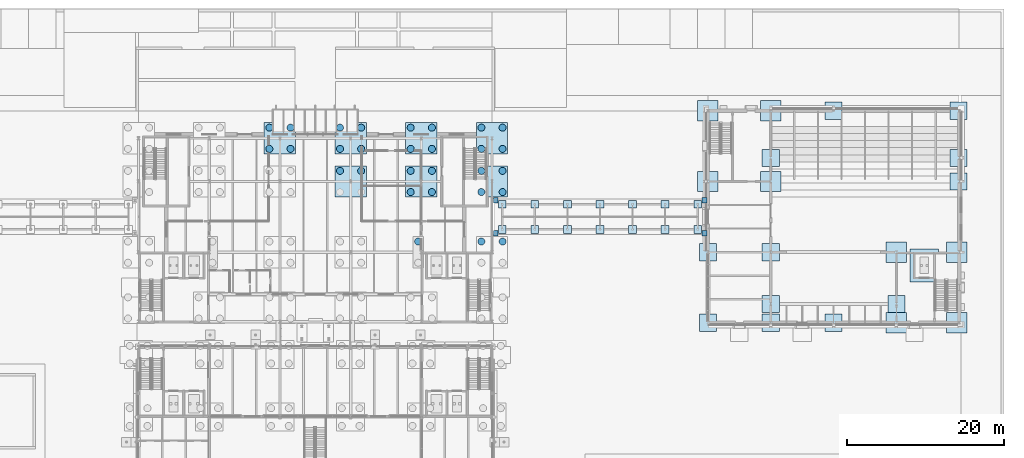
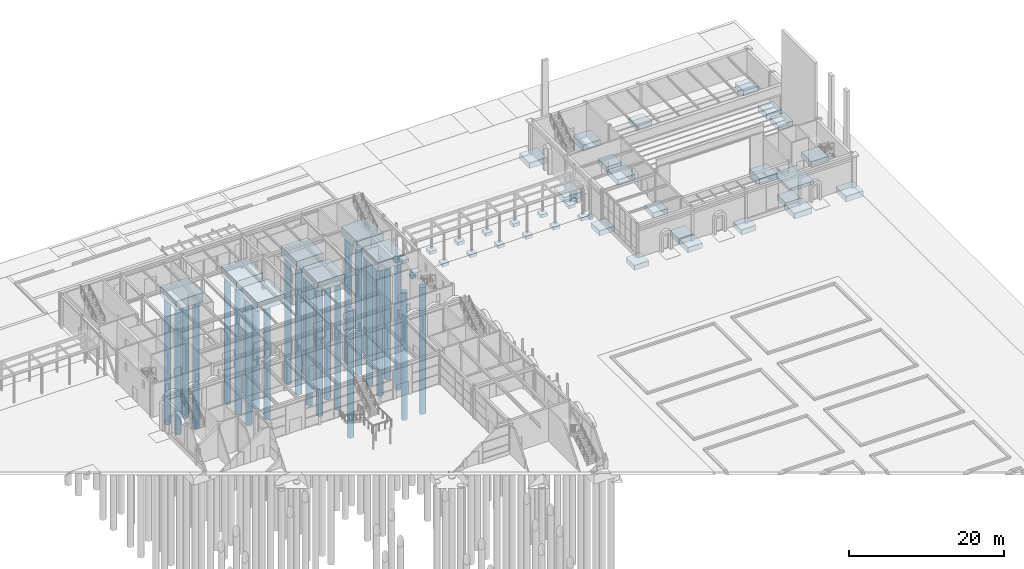
# One storey, part 3 of 126: 46 footings, 29 piles.
"""IFC4 building model written with IfcOpenShell, lengths in metres."""

from ifc_helpers import new_model, si_unit, direction, frame, origin, origin_2d, place, context, subcontext, project, spatial, rectangle, circle, extrude, material, type_object, element, save


model = new_model("IFC4")

# Units and contexts
model_context = context("Model", 3, precision=1e-05, world=origin(), true_north=direction((0.0, 1.0)))
body_context = subcontext(model_context, "Body", "Model", "MODEL_VIEW")
ifc_project = project(units=[si_unit("LENGTHUNIT", "METRE"), si_unit("AREAUNIT", "SQUARE_METRE"), si_unit("VOLUMEUNIT", "CUBIC_METRE"), si_unit("PLANEANGLEUNIT", "RADIAN"), si_unit("MASSUNIT", "GRAM", prefix="KILO")], contexts=[model_context])

# Site, building, storey
site_placement = place(None, origin())
site = spatial("IfcSite", under=ifc_project, at=site_placement, CompositionType="ELEMENT")
building_placement = place(site_placement, origin())
building = spatial("IfcBuilding", under=site, at=building_placement, Name="Kallimachos Central Library", CompositionType="ELEMENT")
storey_placement = place(building_placement, origin())
storey = spatial("IfcBuildingStorey", under=building, at=storey_placement, Name="L00", CompositionType="ELEMENT", Elevation=0.0)

# Piles
ifc_material_1 = material(Name="Concrete C30/37", Category="concrete")
pile_type = type_object("IfcPileType", Name="Bored pile D900", PredefinedType="BORED", material=ifc_material_1)
for number, where, z_axis, x_axis, name in (
    (1, (101.10009765625, 97.35009765625, -1.60009765625), (0.0, 0.0, -1.0), (1.0, 0.0, 0.0), "V1-PIL-L00-040"),
    (2, (109.14990234375, 97.35009765625, -1.60009765625), (0.0, 0.0, -1.0), (1.0, 0.0, 0.0), "V1-PIL-L00-042"),
    (3, (111.85009765625, 97.35009765625, -1.60009765625), (0.0, 0.0, -1.0), (1.0, 0.0, 0.0), "V1-PIL-L00-044"),
    (4, (91.14990234375, 106.35009765625, -1.60009765625), (0.0, 0.0, -1.0), (1.0, 0.0, 0.0), "V1-PIL-L00-058"),
    (5, (93.85009765625, 106.35009765625, -1.60009765625), (0.0, 0.0, -1.0), (1.0, 0.0, 0.0), "V1-PIL-L00-060"),
    (6, (100.14990234375, 103.64990234375, -1.60009765625), (0.0, 0.0, -1.0), (1.0, 0.0, 0.0), "V1-PIL-L00-061"),
    (7, (100.14990234375, 106.35009765625, -1.60009765625), (0.0, 0.0, -1.0), (1.0, 0.0, 0.0), "V1-PIL-L00-062"),
    (8, (102.85009765625, 103.64990234375, -1.60009765625), (0.0, 0.0, -1.0), (1.0, 0.0, 0.0), "V1-PIL-L00-063"),
    (9, (102.85009765625, 106.35009765625, -1.60009765625), (0.0, 0.0, -1.0), (1.0, 0.0, 0.0), "V1-PIL-L00-064"),
    (10, (109.14990234375, 103.64990234375, -1.60009765625), (0.0, 0.0, -1.0), (1.0, 0.0, 0.0), "V1-PIL-L00-065"),
    (11, (109.14990234375, 106.35009765625, -1.60009765625), (0.0, 0.0, -1.0), (1.0, 0.0, 0.0), "V1-PIL-L00-066"),
    (12, (111.85009765625, 103.64990234375, -1.60009765625), (0.0, 0.0, -1.0), (1.0, 0.0, 0.0), "V1-PIL-L00-067"),
    (13, (111.85009765625, 106.35009765625, -1.60009765625), (0.0, 0.0, -1.0), (1.0, 0.0, 0.0), "V1-PIL-L00-068"),
    (14, (82.14990234375, 109.14990234375, -1.60009765625), (0.0, 0.0, -1.0), (1.0, 0.0, 0.0), "V1-PIL-L00-077"),
    (15, (82.14990234375, 111.85009765625, -1.60009765625), (0.0, 0.0, -1.0), (1.0, 0.0, 0.0), "V1-PIL-L00-078"),
    (16, (84.85009765625, 109.14990234375, -1.60009765625), (0.0, 0.0, -1.0), (1.0, 0.0, 0.0), "V1-PIL-L00-079"),
    (17, (84.85009765625, 111.85009765625, -1.60009765625), (0.0, 0.0, -1.0), (1.0, 0.0, 0.0), "V1-PIL-L00-080"),
    (18, (91.14990234375, 109.14990234375, -1.60009765625), (0.0, 0.0, -1.0), (1.0, 0.0, 0.0), "V1-PIL-L00-081"),
    (19, (91.14990234375, 111.85009765625, -1.60009765625), (0.0, 0.0, -1.0), (1.0, 0.0, 0.0), "V1-PIL-L00-082"),
    (20, (93.85009765625, 109.14990234375, -1.60009765625), (0.0, 0.0, -1.0), (1.0, 0.0, 0.0), "V1-PIL-L00-083"),
    (21, (93.85009765625, 111.85009765625, -1.60009765625), (0.0, 0.0, -1.0), (1.0, 0.0, 0.0), "V1-PIL-L00-084"),
    (22, (100.14990234375, 109.14990234375, -1.60009765625), (0.0, 0.0, -1.0), (1.0, 0.0, 0.0), "V1-PIL-L00-085"),
    (23, (100.14990234375, 111.85009765625, -1.60009765625), (0.0, 0.0, -1.0), (1.0, 0.0, 0.0), "V1-PIL-L00-086"),
    (24, (102.85009765625, 109.14990234375, -1.60009765625), (0.0, 0.0, -1.0), (1.0, 0.0, 0.0), "V1-PIL-L00-087"),
    (25, (102.85009765625, 111.85009765625, -1.60009765625), (0.0, 0.0, -1.0), (1.0, 0.0, 0.0), "V1-PIL-L00-088"),
    (26, (109.14990234375, 109.14990234375, -1.60009765625), (0.0, 0.0, -1.0), (1.0, 0.0, 0.0), "V1-PIL-L00-089"),
    (27, (109.14990234375, 111.85009765625, -1.60009765625), (0.0, 0.0, -1.0), (1.0, 0.0, 0.0), "V1-PIL-L00-090"),
    (28, (111.85009765625, 109.14990234375, -1.60009765625), (0.0, 0.0, -1.0), (1.0, 0.0, 0.0), "V1-PIL-L00-091"),
    (29, (111.85009765625, 111.85009765625, -1.60009765625), (0.0, 0.0, -1.0), (1.0, 0.0, 0.0), "V1-PIL-L00-092"),
):
    element("IfcPile", number, at=place(storey_placement, frame(where, z_axis=z_axis, x_axis=x_axis)), inside=storey, type_object=pile_type, Name=name, PredefinedType="BORED", context=body_context, shape_type="SweptSolid", body=[
        extrude(circle(Radius=0.449951171875, at=origin_2d()), origin(), (0.0, 0.0, 1.0), 20.10009765625),
    ])

# Footings
ifc_material_2 = material(Name="Concrete C30/37", Category="concrete")
footing_type_1 = type_object("IfcFootingType", Name="Pad footing 1000 x 1000 x 500", PredefinedType="PAD_FOOTING", material=ifc_material_2)
for number, where, z_axis, x_axis, name in (
    (30, (111.800048828125, 98.89990234375, -0.64990234375), (0.0, 0.0, 1.0), (1.0, 0.0, 0.0), "Arcade A2 footing"),
    (31, (111.800048828125, 102.10009765625, -0.64990234375), (0.0, 0.0, 1.0), (1.0, 0.0, 0.0), "Arcade A2 footing"),
    (32, (115.949951171875, 98.89990234375, -0.64990234375), (0.0, 0.0, 1.0), (1.0, 0.0, 0.0), "Arcade A2 footing"),
    (33, (115.949951171875, 102.10009765625, -0.64990234375), (0.0, 0.0, 1.0), (1.0, 0.0, 0.0), "Arcade A2 footing"),
    (34, (120.10009765625, 98.89990234375, -0.64990234375), (0.0, 0.0, 1.0), (1.0, 0.0, 0.0), "Arcade A2 footing"),
    (35, (120.10009765625, 102.10009765625, -0.64990234375), (0.0, 0.0, 1.0), (1.0, 0.0, 0.0), "Arcade A2 footing"),
    (36, (124.25, 98.89990234375, -0.64990234375), (0.0, 0.0, 1.0), (1.0, 0.0, 0.0), "Arcade A2 footing"),
    (37, (124.25, 102.10009765625, -0.64990234375), (0.0, 0.0, 1.0), (1.0, 0.0, 0.0), "Arcade A2 footing"),
    (38, (128.39990234375, 98.89990234375, -0.64990234375), (0.0, 0.0, 1.0), (1.0, 0.0, 0.0), "Arcade A2 footing"),
    (39, (128.39990234375, 102.10009765625, -0.64990234375), (0.0, 0.0, 1.0), (1.0, 0.0, 0.0), "Arcade A2 footing"),
    (40, (132.550048828125, 98.89990234375, -0.64990234375), (0.0, 0.0, 1.0), (1.0, 0.0, 0.0), "Arcade A2 footing"),
    (41, (132.550048828125, 102.10009765625, -0.64990234375), (0.0, 0.0, 1.0), (1.0, 0.0, 0.0), "Arcade A2 footing"),
    (42, (136.699951171875, 98.89990234375, -0.64990234375), (0.0, 0.0, 1.0), (1.0, 0.0, 0.0), "Arcade A2 footing"),
    (43, (136.699951171875, 102.10009765625, -0.64990234375), (0.0, 0.0, 1.0), (1.0, 0.0, 0.0), "Arcade A2 footing"),
):
    element("IfcFooting", number, at=place(storey_placement, frame(where, z_axis=z_axis, x_axis=x_axis)), inside=storey, type_object=footing_type_1, Name=name, PredefinedType="PAD_FOOTING", context=body_context, shape_type="SweptSolid", body=[
        extrude(rectangle(XDim=1.0, YDim=1.0, at=origin_2d()), origin(), (0.0, 0.0, 1.0), 0.5),
    ])
ifc_material_3 = material(Name="Concrete C30/37", Category="concrete")
footing_type_2 = type_object("IfcFootingType", Name="Pad footing 2200x2200x800", PredefinedType="PAD_FOOTING", material=ifc_material_3)
for number, where, z_axis, x_axis, name in (
    (44, (138.0, 87.0, -1.10009765625), (0.0, 0.0, 1.0), (1.0, 0.0, 0.0), "V3-FTG-L00-001"),
    (45, (138.0, 96.0, -1.10009765625), (0.0, 0.0, 1.0), (1.0, 0.0, 0.0), "V3-FTG-L00-003"),
    (46, (169.89990234375, 105.0, -1.10009765625), (0.0, 0.0, 1.0), (1.0, 0.0, 0.0), "V3-FTG-L00-006"),
    (47, (169.89990234375, 114.0, -1.10009765625), (0.0, 0.0, 1.0), (1.0, 0.0, 0.0), "V3-FTG-L00-008"),
    (48, (146.0, 87.0, -1.10009765625), (0.0, 0.0, 1.0), (1.0, 0.0, 0.0), "V3-FTG-L00-009"),
    (49, (146.0, 89.39990234375, -1.10009765625), (0.0, 0.0, 1.0), (1.0, 0.0, 0.0), "V3-FTG-L00-010"),
    (50, (146.0, 96.0, -1.10009765625), (0.0, 0.0, 1.0), (1.0, 0.0, 0.0), "V3-FTG-L00-011"),
    (51, (146.0, 108.0, -1.10009765625), (0.0, 0.0, 1.0), (1.0, 0.0, 0.0), "V3-FTG-L00-012"),
    (52, (162.0, 89.39990234375, -1.10009765625), (0.0, 0.0, 1.0), (1.0, 0.0, 0.0), "V3-FTG-L00-017"),
    (53, (154.0, 87.0, -1.10009765625), (0.0, 0.0, 1.0), (1.0, 0.0, 0.0), "V3-FTG-L00-018"),
    (54, (154.0, 114.0, -1.10009765625), (0.0, 0.0, 1.0), (1.0, 0.0, 0.0), "V3-FTG-L00-019"),
    (55, (169.89990234375, 108.0, -1.10009765625), (0.0, 0.0, 1.0), (1.0, 0.0, 0.0), "V3-FTG-L00-020"),
):
    element("IfcFooting", number, at=place(storey_placement, frame(where, z_axis=z_axis, x_axis=x_axis)), inside=storey, type_object=footing_type_2, Name=name, PredefinedType="PAD_FOOTING", context=body_context, shape_type="SweptSolid", body=[
        extrude(rectangle(XDim=2.199951171875, YDim=2.199951171875, at=origin_2d()), origin(), (0.0, 0.0, 1.0), 0.800048828125),
    ])
ifc_material_4 = material(Name="Concrete C30/37", Category="concrete")
footing_type_3 = type_object("IfcFootingType", Name="Pad footing 2600x2600x900", PredefinedType="PAD_FOOTING", material=ifc_material_4)
for number, where, z_axis, x_axis, name in (
    (56, (169.699951171875, 87.0, -1.199951171875), (0.0, 0.0, 1.0), (1.0, 0.0, 0.0), "V3-FTG-L00-002"),
    (57, (169.699951171875, 96.0, -1.199951171875), (0.0, 0.0, 1.0), (1.0, 0.0, 0.0), "V3-FTG-L00-004"),
    (58, (138.0, 105.0, -1.199951171875), (0.0, 0.0, 1.0), (1.0, 0.0, 0.0), "V3-FTG-L00-005"),
    (59, (138.0, 114.0, -1.199951171875), (0.0, 0.0, 1.0), (1.0, 0.0, 0.0), "V3-FTG-L00-007"),
    (60, (146.0, 105.0, -1.199951171875), (0.0, 0.0, 1.0), (1.0, 0.0, 0.0), "V3-FTG-L00-013"),
    (61, (146.0, 114.0, -1.199951171875), (0.0, 0.0, 1.0), (1.0, 0.0, 0.0), "V3-FTG-L00-014"),
    (62, (162.0, 87.0, -1.199951171875), (0.0, 0.0, 1.0), (1.0, 0.0, 0.0), "V3-FTG-L00-015"),
    (63, (162.0, 96.0, -1.199951171875), (0.0, 0.0, 1.0), (1.0, 0.0, 0.0), "V3-FTG-L00-016"),
):
    element("IfcFooting", number, at=place(storey_placement, frame(where, z_axis=z_axis, x_axis=x_axis)), inside=storey, type_object=footing_type_3, Name=name, PredefinedType="PAD_FOOTING", context=body_context, shape_type="SweptSolid", body=[
        extrude(rectangle(XDim=2.60009765625, YDim=2.60009765625, at=origin_2d()), origin(), (0.0, 0.0, 1.0), 0.89990234375),
    ])
ifc_material_5 = material(Name="Concrete C30/37", Category="concrete")
footing_type_4 = type_object("IfcFootingType", Name="Pad footing 3600x4200x500", PredefinedType="PAD_FOOTING", material=ifc_material_5)
footing_placement = place(storey_placement, frame((165.550048828125, 94.300048828125, -1.89990234375), z_axis=(0.0, 0.0, 1.0), x_axis=(1.0, 0.0, 0.0)))
element("IfcFooting", 64, at=footing_placement, inside=storey, type_object=footing_type_4, Name="V3-FTG-L00-021", PredefinedType="PAD_FOOTING", context=body_context, shape_type="SweptSolid", body=[
    extrude(rectangle(XDim=3.60009765625, YDim=4.199951171875, at=origin_2d()), origin(), (0.0, 0.0, 1.0), 0.5),
])
ifc_material_6 = material(Name="Concrete C30/37", Category="concrete")
footing_type_5 = type_object("IfcFootingType", Name="Pad footing 600 x 700 x 500", PredefinedType="PAD_FOOTING", material=ifc_material_6)
for number, where, z_axis, x_axis, name in (
    (65, (110.97509765625, 98.39990234375, -0.64990234375), (0.0, 0.0, 1.0), (1.0, 0.0, 0.0), "B-E landing column footing"),
    (66, (110.97509765625, 102.60009765625, -0.64990234375), (0.0, 0.0, 1.0), (1.0, 0.0, 0.0), "B-E landing column footing"),
    (67, (137.550048828125, 98.39990234375, -0.64990234375), (0.0, 0.0, 1.0), (1.0, 0.0, 0.0), "B-E landing column footing"),
    (68, (137.550048828125, 102.60009765625, -0.64990234375), (0.0, 0.0, 1.0), (1.0, 0.0, 0.0), "B-E landing column footing"),
):
    element("IfcFooting", number, at=place(storey_placement, frame(where, z_axis=z_axis, x_axis=x_axis)), inside=storey, type_object=footing_type_5, Name=name, PredefinedType="PAD_FOOTING", context=body_context, shape_type="SweptSolid", body=[
        extrude(rectangle(XDim=0.60009765625, YDim=0.699951171875, at=origin_2d()), origin(), (0.0, 0.0, 1.0), 0.5),
    ])
ifc_material_7 = material(Name="Concrete C35/45", Category="concrete")
footing_type_6 = type_object("IfcFootingType", Name="Pile cap 2x2 D900 4000 x 4000", PredefinedType="PILE_CAP", material=ifc_material_7)
for number, where, z_axis, x_axis, name in (
    (69, (92.5, 105.0, -1.699951171875), (0.0, 0.0, 1.0), (1.0, 0.0, 0.0), "V1-FTG-L00-016"),
    (70, (101.5, 105.0, -1.699951171875), (0.0, 0.0, 1.0), (1.0, 0.0, 0.0), "V1-FTG-L00-017"),
    (71, (110.5, 105.0, -1.699951171875), (0.0, 0.0, 1.0), (1.0, 0.0, 0.0), "V1-FTG-L00-018"),
    (72, (83.5, 110.5, -1.699951171875), (0.0, 0.0, 1.0), (1.0, 0.0, 0.0), "V1-FTG-L00-021"),
    (73, (92.5, 110.5, -1.699951171875), (0.0, 0.0, 1.0), (1.0, 0.0, 0.0), "V1-FTG-L00-022"),
    (74, (101.5, 110.5, -1.699951171875), (0.0, 0.0, 1.0), (1.0, 0.0, 0.0), "V1-FTG-L00-023"),
    (75, (110.5, 110.5, -1.699951171875), (0.0, 0.0, 1.0), (1.0, 0.0, 0.0), "V1-FTG-L00-024"),
):
    element("IfcFooting", number, at=place(storey_placement, frame(where, z_axis=z_axis, x_axis=x_axis)), inside=storey, type_object=footing_type_6, Name=name, PredefinedType="PILE_CAP", context=body_context, shape_type="SweptSolid", body=[
        extrude(rectangle(XDim=4.0, YDim=4.0, at=origin_2d()), origin(), (0.0, 0.0, 1.0), 1.39990234375),
    ])

save(model, "model.ifc")
